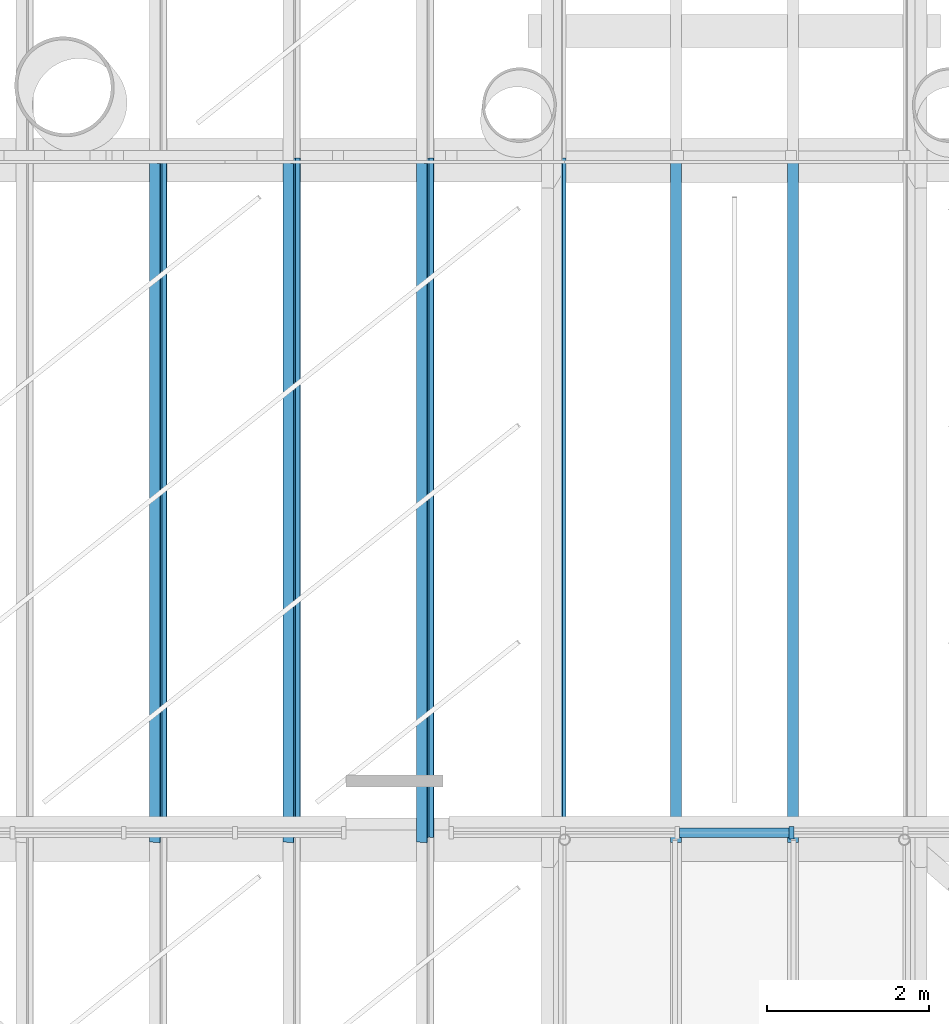
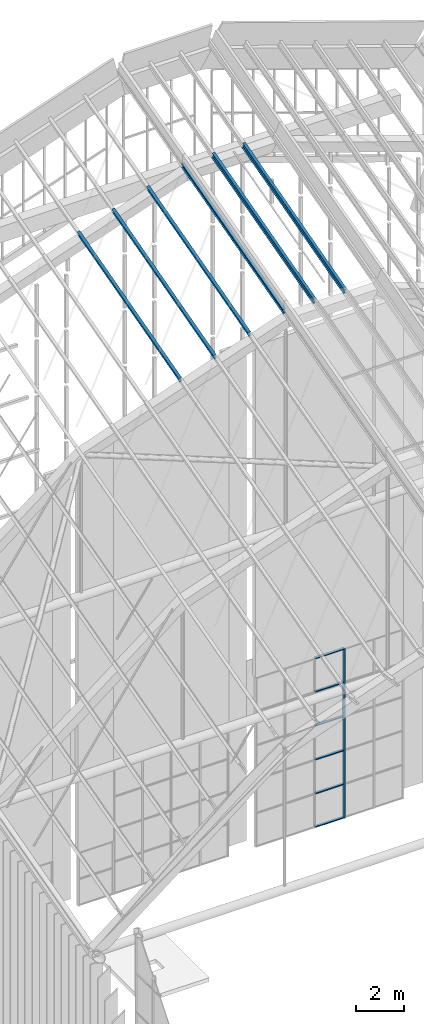
# One storey, part 59 of 126: 13 members, 1 element without a shape of its own.
"""IFC4 building model written with IfcOpenShell, lengths in metres."""

import ifcopenshell
import ifcopenshell.guid

model = None  # the IFC model being written
_history = None  # IfcOwnerHistory: only IFC2X3 demands one
_inside = {}  # id of a spatial element -> (the spatial element, [elements in it])
_under = {}  # id of a project, library or spatial element -> (it, [spatial elements below it])
_declared = {}  # id of a project -> (the project, [libraries it declares])
_typed = {}  # id of a type object -> (the type object, [elements of that type])
_made_of = {}  # id of a material, layer set ... -> (it, [elements and type objects made of it])


def new_model(schema):
    """Start an empty IFC model of exactly this schema.

    Asked for "IFC4X3", IfcOpenShell would pick the latest addendum, in which some entities
    have other attributes; the version numbers below select the first issue.
    IFC2X3 requires an IfcOwnerHistory on every rooted entity: one is made here for all.
    """
    global model, _history
    if schema == "IFC4X3":
        model = ifcopenshell.file(schema_version=(4, 3, 0, 0))
    else:
        model = ifcopenshell.file(schema=schema)
    _inside.clear()
    _under.clear()
    _declared.clear()
    _typed.clear()
    _made_of.clear()
    _history = None
    if model.schema == "IFC2X3":
        org = make("IfcOrganization", Name="unknown")
        user = make(
            "IfcPersonAndOrganization",
            ThePerson=make("IfcPerson", FamilyName="unknown"),
            TheOrganization=org,
        )
        app = make(
            "IfcApplication",
            ApplicationDeveloper=org,
            Version="unknown",
            ApplicationFullName="unknown",
            ApplicationIdentifier="unknown",
        )
        _history = make(
            "IfcOwnerHistory",
            OwningUser=user,
            OwningApplication=app,
            ChangeAction="ADDED",
            CreationDate=0,
        )
    return model


def make(cls, **values):
    """One entity of the class cls with the attributes given. An attribute that is None is left unset."""
    return model.create_entity(
        cls, **{name: value for name, value in values.items() if value is not None}
    )


def rooted(cls, **values):
    """An entity with a GlobalId (a new one), such as an element, a storey or a relation."""
    return make(cls, GlobalId=ifcopenshell.guid.new(), OwnerHistory=_history, **values)


def si_unit(unit_type, name, prefix=None):
    """IfcSIUnit, for example si_unit("LENGTHUNIT", "METRE", prefix="MILLI")."""
    return make("IfcSIUnit", UnitType=unit_type, Prefix=prefix, Name=name)


def assignment(units):
    """IfcUnitAssignment: the units of a project."""
    return None if units is None else make("IfcUnitAssignment", Units=units)


def point(xyz):
    """IfcCartesianPoint."""
    return None if xyz is None else make("IfcCartesianPoint", Coordinates=xyz)


def direction(xyz):
    """IfcDirection."""
    return None if xyz is None else make("IfcDirection", DirectionRatios=xyz)


def frame(location, z_axis=None, x_axis=None):
    """IfcAxis2Placement3D, a coordinate frame: its origin and axes. An axis left out is left unset."""
    return make(
        "IfcAxis2Placement3D",
        Location=point(location),
        Axis=direction(z_axis),
        RefDirection=direction(x_axis),
    )


def frame_2d(location, x_axis=None):
    """IfcAxis2Placement2D, a coordinate frame in the plane: its origin and x axis."""
    return make(
        "IfcAxis2Placement2D", Location=point(location), RefDirection=direction(x_axis)
    )


def origin():
    """The frame at (0, 0, 0) with its axes left unset."""
    return frame((0.0, 0.0, 0.0))


def origin_2d():
    """The frame at (0, 0) in the plane with its x axis left unset."""
    return frame_2d((0.0, 0.0))


def place(relative_to, where):
    """IfcLocalPlacement: puts the frame where relative to a parent placement (None: the world)."""
    return make(
        "IfcLocalPlacement", PlacementRelTo=relative_to, RelativePlacement=where
    )


def context(
    kind, dimensions, precision=None, world=None, true_north=None, identifier=None
):
    """IfcGeometricRepresentationContext, for example the 3D "Model" context."""
    return make(
        "IfcGeometricRepresentationContext",
        ContextIdentifier=identifier,
        ContextType=kind,
        CoordinateSpaceDimension=dimensions,
        Precision=precision,
        WorldCoordinateSystem=world,
        TrueNorth=true_north,
    )


def subcontext(parent, identifier, kind, view, scale=None):
    """IfcGeometricRepresentationSubContext, for example "Body" below "Model"."""
    return make(
        "IfcGeometricRepresentationSubContext",
        ContextIdentifier=identifier,
        ContextType=kind,
        ParentContext=parent,
        TargetScale=scale,
        TargetView=view,
    )


def project(units=None, contexts=None):
    """IfcProject with its units and contexts."""
    return rooted(
        "IfcProject",
        Name="project",
        RepresentationContexts=contexts,
        UnitsInContext=assignment(units),
    )


def spatial(cls, under=None, at=None, **own):
    """A site, building, storey or space (cls), placed at a placement, below another one or the project."""
    s = rooted(cls, ObjectPlacement=at, **own)
    if under is not None:
        _under.setdefault(under.id(), (under, []))[1].append(s)
    return s


def profile(cls, at=None, kind="AREA", **sizes):
    """A parametric profile (cls). Its sizes go by their IFC names, for example OverallWidth=200.0."""
    return make(cls, ProfileType=kind, Position=at, **sizes)


def rectangle(**sizes):
    """IfcRectangleProfileDef."""
    return profile("IfcRectangleProfileDef", **sizes)


def i_section(**sizes):
    """IfcIShapeProfileDef."""
    return profile("IfcIShapeProfileDef", **sizes)


def extrude(swept, where, along, depth):
    """IfcExtrudedAreaSolid: the profile swept, set in the frame where, extruded along a direction by depth."""
    return make(
        "IfcExtrudedAreaSolid",
        SweptArea=swept,
        Position=where,
        ExtrudedDirection=direction(along),
        Depth=depth,
    )


def shape(context_of_items, identifier, shape_type, items):
    """IfcShapeRepresentation: the items that make up one representation, for example the "Body"."""
    return make(
        "IfcShapeRepresentation",
        ContextOfItems=context_of_items,
        RepresentationIdentifier=identifier,
        RepresentationType=shape_type,
        Items=items,
    )


def material(Name=None, Category=None):
    """IfcMaterial."""
    return make("IfcMaterial", Name=Name, Category=Category)


def material_profile(
    of_material, cross_section, Name=None, Category=None, Priority=None
):
    """IfcMaterialProfile: a cross section and its material."""
    return make(
        "IfcMaterialProfile",
        Name=Name,
        Material=of_material,
        Profile=cross_section,
        Priority=Priority,
        Category=Category,
    )


def profile_set(profiles, Name=None, composite=None):
    """IfcMaterialProfileSet."""
    return make(
        "IfcMaterialProfileSet",
        Name=Name,
        MaterialProfiles=profiles,
        CompositeProfile=composite,
    )


def made_of(thing, what):
    """Note that an element or type object is made of a material, layer set ...; save() writes the relation."""
    if what is not None:
        _made_of.setdefault(what.id(), (what, []))[1].append(thing)
    return thing


def type_object(cls, material=None, **own):
    """A type object (cls), such as IfcWallType, which elements share."""
    return made_of(rooted(cls, **own), material)


def element(
    cls,
    number,
    at=None,
    inside=None,
    cuts=None,
    type_object=None,
    material=None,
    context=None,
    identifier="Body",
    shape_type=None,
    held_by="IfcProductDefinitionShape",
    body=None,
    shapes=None,
    **own,
):
    """One element of the class cls, such as IfcWall. Its Tag is "e" and its number.

    at: its placement. inside: the storey or other place that contains it. cuts: it is an
    opening in that element (IfcRelVoidsElement). A single representation is given by context,
    identifier, shape_type and body (its items); several are given by shapes. held_by: the class
    of the entity that holds the representations. save() writes the other relations.
    """
    e = rooted(cls, Tag="e%d" % number, ObjectPlacement=at, **own)
    if body is not None:
        shapes = [shape(context, identifier, shape_type, body)]
    if shapes is not None:
        e.Representation = make(held_by, Representations=shapes)
    if inside is not None:
        _inside.setdefault(inside.id(), (inside, []))[1].append(e)
    if cuts is not None:
        rooted(
            "IfcRelVoidsElement", RelatingBuildingElement=cuts, RelatedOpeningElement=e
        )
    if type_object is not None:
        _typed.setdefault(type_object.id(), (type_object, []))[1].append(e)
    return made_of(e, material)


def aggregate(whole, parts):
    """IfcRelAggregates: a whole, such as a stair, and the parts it consists of."""
    return rooted("IfcRelAggregates", RelatingObject=whole, RelatedObjects=parts)


def save(model, path):
    """Write the relations noted so far, then the file.

    IfcRelAggregates (storeys below a building ...), IfcRelContainedInSpatialStructure (elements
    in a storey), IfcRelDefinesByType, IfcRelAssociatesMaterial and IfcRelDeclares: one each for
    every whole, place, type object, material and project.
    """
    for whole, parts in _under.values():
        aggregate(whole, parts)
    for where, things in _inside.values():
        rooted(
            "IfcRelContainedInSpatialStructure",
            RelatedElements=things,
            RelatingStructure=where,
        )
    for kind, things in _typed.values():
        rooted("IfcRelDefinesByType", RelatedObjects=things, RelatingType=kind)
    for what, things in _made_of.values():
        rooted("IfcRelAssociatesMaterial", RelatedObjects=things, RelatingMaterial=what)
    for by, libraries in _declared.values():
        rooted("IfcRelDeclares", RelatingContext=by, RelatedDefinitions=libraries)
    model.write(path)


model = new_model("IFC4")

# Units and contexts
model_context = context("Model", 3, precision=1e-05, world=origin(), true_north=direction((0.0, 1.0)))
body_context = subcontext(model_context, "Body", "Model", "MODEL_VIEW")
ifc_project = project(units=[si_unit("LENGTHUNIT", "METRE"), si_unit("AREAUNIT", "SQUARE_METRE"), si_unit("VOLUMEUNIT", "CUBIC_METRE"), si_unit("PLANEANGLEUNIT", "RADIAN"), si_unit("MASSUNIT", "GRAM", prefix="KILO")], contexts=[model_context])

# Site, building, storey
site_placement = place(None, origin())
site = spatial("IfcSite", under=ifc_project, at=site_placement, CompositionType="ELEMENT")
building_placement = place(site_placement, origin())
building = spatial("IfcBuilding", under=site, at=building_placement, Name="Sava Quay Ferry Terminal", CompositionType="ELEMENT")
storey_placement = place(building_placement, frame((0.0, 0.0, 15.0)))
storey = spatial("IfcBuildingStorey", under=building, at=storey_placement, Name="L03", CompositionType="ELEMENT", Elevation=15.0)

# Curtain wall, member
ifc_material_1 = material(Name="Aluminium and glass curtain wall, double low-e glazed", Category="aluminium")
curtain_wall_type = type_object("IfcCurtainWallType", Name="Curtain wall CW-G gable", PredefinedType="NOTDEFINED", material=ifc_material_1)
curtain_wall_placement = place(storey_placement, origin())
curtain_wall = element("IfcCurtainWall", 1, at=curtain_wall_placement, inside=storey, type_object=curtain_wall_type, Name="Curtain wall D-N L03 bay 31", PredefinedType="NOTDEFINED")
ifc_material_2 = material(Name="Aluminium EN AW-6063 T6", Category="aluminium")
ifc_material_profile_1 = material_profile(ifc_material_2, rectangle(XDim=0.14990234375, YDim=0.06005859375, at=origin_2d()), Name="Mullion 60x150 aluminium")
ifc_profile_set_1 = profile_set([ifc_material_profile_1], Name="Aluminium EN AW-6063 T6")
member_type_1 = type_object("IfcMemberType", Name="Mullion 60x150 aluminium", PredefinedType="MULLION", material=ifc_profile_set_1)
member_1_placement = place(storey_placement, frame((63.7060546875, 100.885009765625, 0.0), z_axis=(0.0, 0.0, 1.0), x_axis=(0.0, 1.0, 0.0)))
member_1 = element("IfcMember", 2, at=member_1_placement, type_object=member_type_1, Name="CW72 mullion 4", PredefinedType="MULLION", context=body_context, shape_type="SweptSolid", body=[
    extrude(rectangle(XDim=0.14990234375, YDim=0.06005859375, at=origin_2d()), origin(), (0.0, 0.0, 1.0), 8.550048828125),
])

# Members
ifc_material_3 = material(Name="Steel S355", Category="steel")
ifc_material_profile_2 = material_profile(ifc_material_3, i_section(OverallWidth=0.135009765625, OverallDepth=0.27001953125, WebThickness=0.006591796875, FlangeThickness=0.01025390625, at=origin_2d()), Name="IPE 270")
ifc_profile_set_2 = profile_set([ifc_material_profile_2], Name="Steel S355")
member_type_2 = type_object("IfcMemberType", Name="Roof purlin IPE 270", PredefinedType="PURLIN", material=ifc_profile_set_2)
for number, where, z_axis, x_axis, name in (
    (3, (55.87744140625, 100.800048828125, 24.867919921875), (0.0, 0.964553254836, 0.263888269132), (-0.949027169883, 0.0831760716, -0.3040216636), "Departure hall purlin bay 7 M1.3"),
    (4, (57.528076171875, 100.800048828125, 25.4365234375), (0.0, 0.964560390264, 0.263862186629), (-0.949027169883, 0.083167850544, -0.304023912646), "Departure hall purlin bay 7 M1.4"),
    (5, (59.178955078125, 100.800048828125, 26.0048828125), (0.0, 0.964560390264, 0.263862186629), (-0.949027169883, 0.083167850544, -0.304023912646), "Departure hall purlin bay 7 M1.5"),
    (6, (60.82958984375, 100.800048828125, 26.5732421875), (0.0, 0.964560390264, 0.263862186629), (-0.987174546341, 0.042124187079, -0.153986908271), "Departure hall purlin bay 7 V2"),
    (7, (62.276611328125, 100.800048828125, 26.5732421875), (0.0, 0.964560390264, 0.263862186629), (-1.0, 0.0, 0.0), "Departure hall purlin bay 7 M2.1"),
    (8, (63.723388671875, 100.800048828125, 26.5732421875), (0.0, 0.964560390264, 0.263862186629), (-1.0, 0.0, 0.0), "Departure hall purlin bay 7 M2.2"),
):
    element("IfcMember", number, at=place(storey_placement, frame(where, z_axis=z_axis, x_axis=x_axis)), inside=storey, type_object=member_type_2, Name=name, PredefinedType="PURLIN", context=body_context, shape_type="SweptSolid", body=[
        extrude(i_section(OverallWidth=0.135009765625, OverallDepth=0.27001953125, WebThickness=0.006591796875, FlangeThickness=0.01025390625, at=origin_2d()), origin(), (0.0, 0.0, 1.0), 8.70849609375),
    ])

# Member
ifc_material_4 = material(Name="Aluminium EN AW-6063 T6", Category="aluminium")
ifc_material_profile_3 = material_profile(ifc_material_4, rectangle(XDim=0.1201171875, YDim=0.050048828125, at=origin_2d()), Name="Transom 50x120 aluminium")
ifc_profile_set_3 = profile_set([ifc_material_profile_3], Name="Aluminium EN AW-6063 T6")
member_type_3 = type_object("IfcMemberType", Name="Transom 50x120 aluminium", PredefinedType="USERDEFINED", material=ifc_profile_set_3)
member_2_placement = place(storey_placement, frame((62.323974609375, 100.885009765625, 0.02490234375), z_axis=(1.0, 0.0, 0.0), x_axis=(0.0, 1.0, 0.0)))
member_2 = element("IfcMember", 9, at=member_2_placement, type_object=member_type_3, Name="CW72 transom 3.1", ObjectType="TRANSOM", PredefinedType="USERDEFINED", context=body_context, shape_type="SweptSolid", body=[
    extrude(rectangle(XDim=0.1201171875, YDim=0.050048828125, at=origin_2d()), origin(), (0.0, 0.0, 1.0), 1.35205078125),
])

member_3_placement = place(storey_placement, frame((62.323974609375, 100.885009765625, 1.7099609375), z_axis=(1.0, 0.0, 0.0), x_axis=(0.0, 1.0, 0.0)))
member_3 = element("IfcMember", 10, at=member_3_placement, type_object=member_type_3, Name="CW72 transom 3.2", ObjectType="TRANSOM", PredefinedType="USERDEFINED", context=body_context, shape_type="SweptSolid", body=[
    extrude(rectangle(XDim=0.1201171875, YDim=0.050048828125, at=origin_2d()), origin(), (0.0, 0.0, 1.0), 1.35205078125),
])

member_4_placement = place(storey_placement, frame((62.323974609375, 100.885009765625, 3.419921875), z_axis=(1.0, 0.0, 0.0), x_axis=(0.0, 1.0, 0.0)))
member_4 = element("IfcMember", 11, at=member_4_placement, type_object=member_type_3, Name="CW72 transom 3.3", ObjectType="TRANSOM", PredefinedType="USERDEFINED", context=body_context, shape_type="SweptSolid", body=[
    extrude(rectangle(XDim=0.1201171875, YDim=0.050048828125, at=origin_2d()), origin(), (0.0, 0.0, 1.0), 1.35205078125),
])

member_5_placement = place(storey_placement, frame((62.323974609375, 100.885009765625, 5.1298828125), z_axis=(1.0, 0.0, 0.0), x_axis=(0.0, 1.0, 0.0)))
member_5 = element("IfcMember", 12, at=member_5_placement, type_object=member_type_3, Name="CW72 transom 3.4", ObjectType="TRANSOM", PredefinedType="USERDEFINED", context=body_context, shape_type="SweptSolid", body=[
    extrude(rectangle(XDim=0.1201171875, YDim=0.050048828125, at=origin_2d()), origin(), (0.0, 0.0, 1.0), 1.35205078125),
])

member_6_placement = place(storey_placement, frame((62.323974609375, 100.885009765625, 6.840087890625), z_axis=(1.0, 0.0, 0.0), x_axis=(0.0, 1.0, 0.0)))
member_6 = element("IfcMember", 13, at=member_6_placement, type_object=member_type_3, Name="CW72 transom 3.5", ObjectType="TRANSOM", PredefinedType="USERDEFINED", context=body_context, shape_type="SweptSolid", body=[
    extrude(rectangle(XDim=0.1201171875, YDim=0.050048828125, at=origin_2d()), origin(), (0.0, 0.0, 1.0), 1.35205078125),
])

member_7_placement = place(storey_placement, frame((62.323974609375, 100.885009765625, 8.52490234375), z_axis=(1.0, 0.0, 0.0), x_axis=(0.0, 1.0, 0.0)))
member_7 = element("IfcMember", 14, at=member_7_placement, type_object=member_type_3, Name="CW72 transom 3.6", ObjectType="TRANSOM", PredefinedType="USERDEFINED", context=body_context, shape_type="SweptSolid", body=[
    extrude(rectangle(XDim=0.1201171875, YDim=0.050048828125, at=origin_2d()), origin(), (0.0, 0.0, 1.0), 1.35205078125),
])

aggregate(curtain_wall, [member_1, member_2, member_3, member_4, member_5, member_6, member_7])

save(model, "model.ifc")
